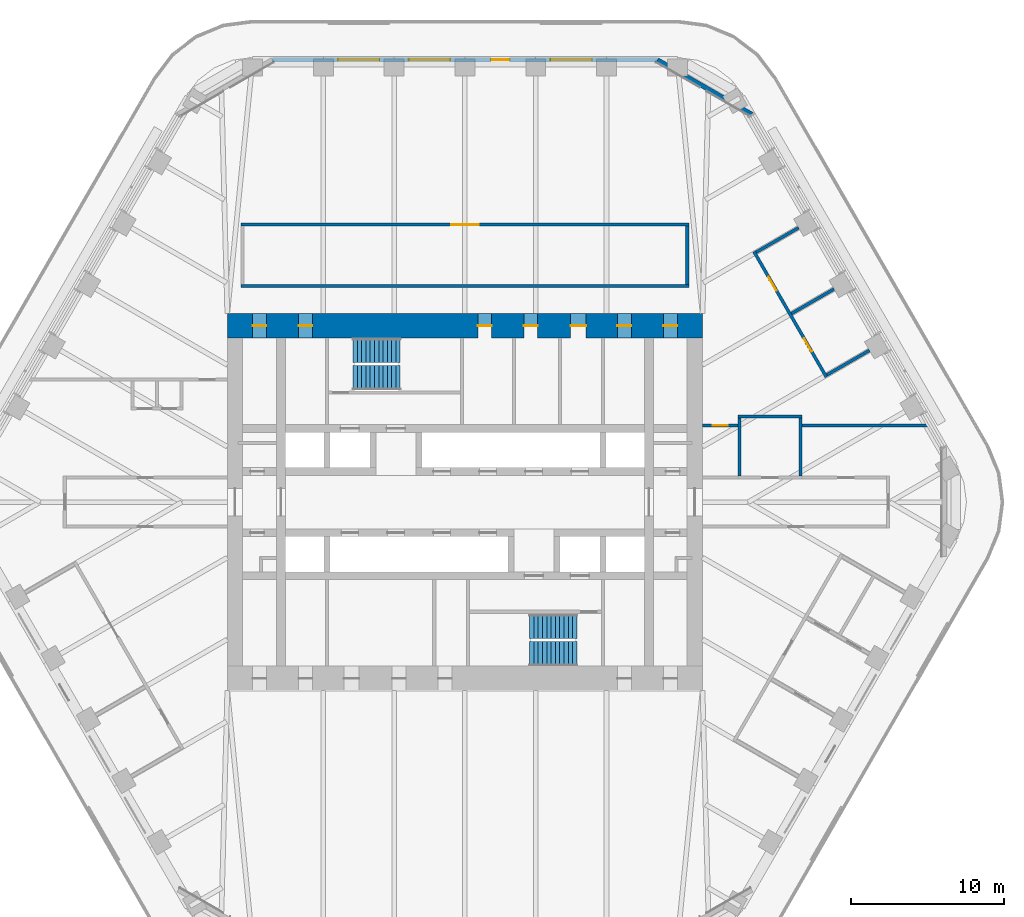
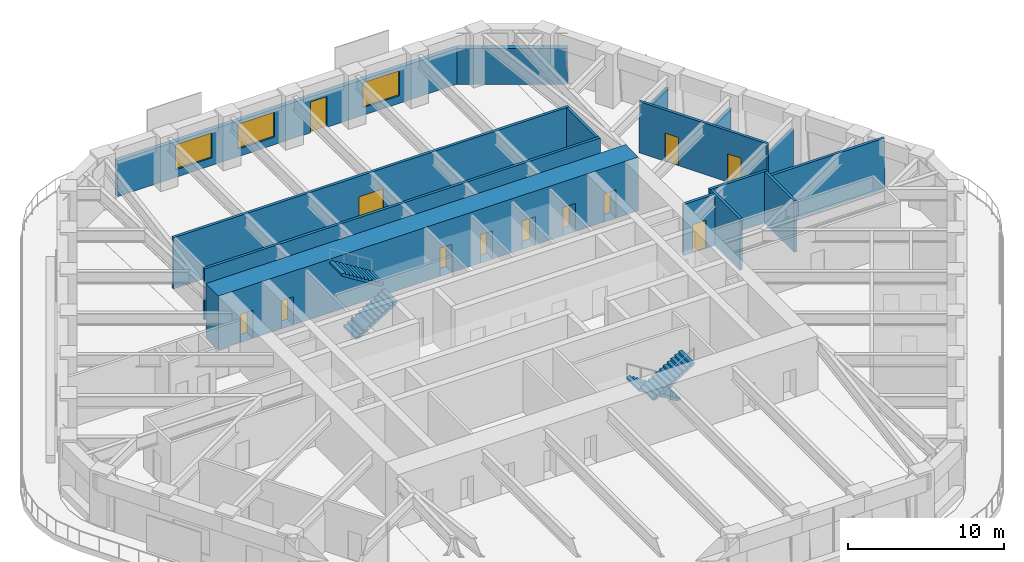
# One storey, part 17 of 20: 15 walls, 12 doors, 4 stair flights, 3 windows, 15 openings, 2 elements without a shape of their own.
"""IFC4 building model written with IfcOpenShell, lengths in metres."""

import ifcopenshell
import ifcopenshell.guid

model = None  # the IFC model being written
_history = None  # IfcOwnerHistory: only IFC2X3 demands one
_inside = {}  # id of a spatial element -> (the spatial element, [elements in it])
_under = {}  # id of a project, library or spatial element -> (it, [spatial elements below it])
_declared = {}  # id of a project -> (the project, [libraries it declares])
_typed = {}  # id of a type object -> (the type object, [elements of that type])
_made_of = {}  # id of a material, layer set ... -> (it, [elements and type objects made of it])


def new_model(schema):
    """Start an empty IFC model of exactly this schema.

    Asked for "IFC4X3", IfcOpenShell would pick the latest addendum, in which some entities
    have other attributes; the version numbers below select the first issue.
    IFC2X3 requires an IfcOwnerHistory on every rooted entity: one is made here for all.
    """
    global model, _history
    if schema == "IFC4X3":
        model = ifcopenshell.file(schema_version=(4, 3, 0, 0))
    else:
        model = ifcopenshell.file(schema=schema)
    _inside.clear()
    _under.clear()
    _declared.clear()
    _typed.clear()
    _made_of.clear()
    _history = None
    if model.schema == "IFC2X3":
        org = make("IfcOrganization", Name="unknown")
        user = make(
            "IfcPersonAndOrganization",
            ThePerson=make("IfcPerson", FamilyName="unknown"),
            TheOrganization=org,
        )
        app = make(
            "IfcApplication",
            ApplicationDeveloper=org,
            Version="unknown",
            ApplicationFullName="unknown",
            ApplicationIdentifier="unknown",
        )
        _history = make(
            "IfcOwnerHistory",
            OwningUser=user,
            OwningApplication=app,
            ChangeAction="ADDED",
            CreationDate=0,
        )
    return model


def make(cls, **values):
    """One entity of the class cls with the attributes given. An attribute that is None is left unset."""
    return model.create_entity(
        cls, **{name: value for name, value in values.items() if value is not None}
    )


def rooted(cls, **values):
    """An entity with a GlobalId (a new one), such as an element, a storey or a relation."""
    return make(cls, GlobalId=ifcopenshell.guid.new(), OwnerHistory=_history, **values)


def si_unit(unit_type, name, prefix=None):
    """IfcSIUnit, for example si_unit("LENGTHUNIT", "METRE", prefix="MILLI")."""
    return make("IfcSIUnit", UnitType=unit_type, Prefix=prefix, Name=name)


def assignment(units):
    """IfcUnitAssignment: the units of a project."""
    return None if units is None else make("IfcUnitAssignment", Units=units)


def point(xyz):
    """IfcCartesianPoint."""
    return None if xyz is None else make("IfcCartesianPoint", Coordinates=xyz)


def direction(xyz):
    """IfcDirection."""
    return None if xyz is None else make("IfcDirection", DirectionRatios=xyz)


def frame(location, z_axis=None, x_axis=None):
    """IfcAxis2Placement3D, a coordinate frame: its origin and axes. An axis left out is left unset."""
    return make(
        "IfcAxis2Placement3D",
        Location=point(location),
        Axis=direction(z_axis),
        RefDirection=direction(x_axis),
    )


def frame_2d(location, x_axis=None):
    """IfcAxis2Placement2D, a coordinate frame in the plane: its origin and x axis."""
    return make(
        "IfcAxis2Placement2D", Location=point(location), RefDirection=direction(x_axis)
    )


def origin():
    """The frame at (0, 0, 0) with its axes left unset."""
    return frame((0.0, 0.0, 0.0))


def place(relative_to, where):
    """IfcLocalPlacement: puts the frame where relative to a parent placement (None: the world)."""
    return make(
        "IfcLocalPlacement", PlacementRelTo=relative_to, RelativePlacement=where
    )


def context(
    kind, dimensions, precision=None, world=None, true_north=None, identifier=None
):
    """IfcGeometricRepresentationContext, for example the 3D "Model" context."""
    return make(
        "IfcGeometricRepresentationContext",
        ContextIdentifier=identifier,
        ContextType=kind,
        CoordinateSpaceDimension=dimensions,
        Precision=precision,
        WorldCoordinateSystem=world,
        TrueNorth=true_north,
    )


def subcontext(parent, identifier, kind, view, scale=None):
    """IfcGeometricRepresentationSubContext, for example "Body" below "Model"."""
    return make(
        "IfcGeometricRepresentationSubContext",
        ContextIdentifier=identifier,
        ContextType=kind,
        ParentContext=parent,
        TargetScale=scale,
        TargetView=view,
    )


def project(units=None, contexts=None):
    """IfcProject with its units and contexts."""
    return rooted(
        "IfcProject",
        Name="project",
        RepresentationContexts=contexts,
        UnitsInContext=assignment(units),
    )


def spatial(cls, under=None, at=None, **own):
    """A site, building, storey or space (cls), placed at a placement, below another one or the project."""
    s = rooted(cls, ObjectPlacement=at, **own)
    if under is not None:
        _under.setdefault(under.id(), (under, []))[1].append(s)
    return s


def polyline(points):
    """IfcPolyline through the points."""
    return make("IfcPolyline", Points=[point(p) for p in points])


def profile(cls, at=None, kind="AREA", **sizes):
    """A parametric profile (cls). Its sizes go by their IFC names, for example OverallWidth=200.0."""
    return make(cls, ProfileType=kind, Position=at, **sizes)


def rectangle(**sizes):
    """IfcRectangleProfileDef."""
    return profile("IfcRectangleProfileDef", **sizes)


def outline(outer, holes=None, kind="AREA"):
    """IfcArbitraryClosedProfileDef: a profile drawn as a closed curve; with holes, ...WithVoids."""
    if holes is None:
        return make("IfcArbitraryClosedProfileDef", ProfileType=kind, OuterCurve=outer)
    return make(
        "IfcArbitraryProfileDefWithVoids",
        ProfileType=kind,
        OuterCurve=outer,
        InnerCurves=holes,
    )


def extrude(swept, where, along, depth):
    """IfcExtrudedAreaSolid: the profile swept, set in the frame where, extruded along a direction by depth."""
    return make(
        "IfcExtrudedAreaSolid",
        SweptArea=swept,
        Position=where,
        ExtrudedDirection=direction(along),
        Depth=depth,
    )


def shape(context_of_items, identifier, shape_type, items):
    """IfcShapeRepresentation: the items that make up one representation, for example the "Body"."""
    return make(
        "IfcShapeRepresentation",
        ContextOfItems=context_of_items,
        RepresentationIdentifier=identifier,
        RepresentationType=shape_type,
        Items=items,
    )


def material(Name=None, Category=None):
    """IfcMaterial."""
    return make("IfcMaterial", Name=Name, Category=Category)


def layer(
    of_material, thickness, ventilated=None, Name=None, Category=None, Priority=None
):
    """IfcMaterialLayer: one layer of a wall or slab, of a material (None: an air gap)."""
    return make(
        "IfcMaterialLayer",
        Material=of_material,
        LayerThickness=thickness,
        IsVentilated=ventilated,
        Name=Name,
        Category=Category,
        Priority=Priority,
    )


def layer_set(layers, Name=None):
    """IfcMaterialLayerSet."""
    return make("IfcMaterialLayerSet", MaterialLayers=layers, LayerSetName=Name)


def made_of(thing, what):
    """Note that an element or type object is made of a material, layer set ...; save() writes the relation."""
    if what is not None:
        _made_of.setdefault(what.id(), (what, []))[1].append(thing)
    return thing


def type_object(cls, material=None, **own):
    """A type object (cls), such as IfcWallType, which elements share."""
    return made_of(rooted(cls, **own), material)


def element(
    cls,
    number,
    at=None,
    inside=None,
    cuts=None,
    type_object=None,
    material=None,
    context=None,
    identifier="Body",
    shape_type=None,
    held_by="IfcProductDefinitionShape",
    body=None,
    shapes=None,
    **own,
):
    """One element of the class cls, such as IfcWall. Its Tag is "e" and its number.

    at: its placement. inside: the storey or other place that contains it. cuts: it is an
    opening in that element (IfcRelVoidsElement). A single representation is given by context,
    identifier, shape_type and body (its items); several are given by shapes. held_by: the class
    of the entity that holds the representations. save() writes the other relations.
    """
    e = rooted(cls, Tag="e%d" % number, ObjectPlacement=at, **own)
    if body is not None:
        shapes = [shape(context, identifier, shape_type, body)]
    if shapes is not None:
        e.Representation = make(held_by, Representations=shapes)
    if inside is not None:
        _inside.setdefault(inside.id(), (inside, []))[1].append(e)
    if cuts is not None:
        rooted(
            "IfcRelVoidsElement", RelatingBuildingElement=cuts, RelatedOpeningElement=e
        )
    if type_object is not None:
        _typed.setdefault(type_object.id(), (type_object, []))[1].append(e)
    return made_of(e, material)


def fill(opening, filler):
    """IfcRelFillsElement: the door or window that sits in an opening."""
    return rooted(
        "IfcRelFillsElement",
        RelatingOpeningElement=opening,
        RelatedBuildingElement=filler,
    )


def aggregate(whole, parts):
    """IfcRelAggregates: a whole, such as a stair, and the parts it consists of."""
    return rooted("IfcRelAggregates", RelatingObject=whole, RelatedObjects=parts)


def save(model, path):
    """Write the relations noted so far, then the file.

    IfcRelAggregates (storeys below a building ...), IfcRelContainedInSpatialStructure (elements
    in a storey), IfcRelDefinesByType, IfcRelAssociatesMaterial and IfcRelDeclares: one each for
    every whole, place, type object, material and project.
    """
    for whole, parts in _under.values():
        aggregate(whole, parts)
    for where, things in _inside.values():
        rooted(
            "IfcRelContainedInSpatialStructure",
            RelatedElements=things,
            RelatingStructure=where,
        )
    for kind, things in _typed.values():
        rooted("IfcRelDefinesByType", RelatedObjects=things, RelatingType=kind)
    for what, things in _made_of.values():
        rooted("IfcRelAssociatesMaterial", RelatedObjects=things, RelatingMaterial=what)
    for by, libraries in _declared.values():
        rooted("IfcRelDeclares", RelatingContext=by, RelatedDefinitions=libraries)
    model.write(path)


model = new_model("IFC4")

# Units and contexts
model_context = context("Model", 3, precision=1e-05, world=origin(), true_north=direction((0.0, 1.0)))
body_context = subcontext(model_context, "Body", "Model", "MODEL_VIEW")
ifc_project = project(units=[si_unit("LENGTHUNIT", "METRE"), si_unit("AREAUNIT", "SQUARE_METRE"), si_unit("VOLUMEUNIT", "CUBIC_METRE"), si_unit("PLANEANGLEUNIT", "RADIAN"), si_unit("MASSUNIT", "GRAM", prefix="KILO")], contexts=[model_context])

# Site, building, storey
site_placement = place(None, origin())
site = spatial("IfcSite", under=ifc_project, at=site_placement, CompositionType="ELEMENT")
building_placement = place(site_placement, origin())
building = spatial("IfcBuilding", under=site, at=building_placement, Name="Tarfa Lantern Tower", CompositionType="ELEMENT")
storey_placement = place(building_placement, frame((0.0, 0.0, 244.89990234375)))
storey = spatial("IfcBuildingStorey", under=building, at=storey_placement, Name="L55", CompositionType="ELEMENT", Elevation=244.89990234375)

# Wall
ifc_material_1 = material(Name="Limestone cladding on blockwork", Category="masonry")
ifc_layer_1 = layer(ifc_material_1, 0.300048828125)
ifc_layer_set_1 = layer_set([ifc_layer_1], Name="EW1 STONE-CLAD WALL 300")
wall_type_1 = type_object("IfcWallType", Name="EW1 STONE-CLAD WALL 300", PredefinedType="SOLIDWALL", material=ifc_layer_set_1)
wall_1_placement = place(storey_placement, frame((18.70654296875, 25.299072265625, 0.0), z_axis=(0.0, 0.0, 1.0), x_axis=(-0.866010973379, 0.500024993363, 0.0)))
element("IfcWall", 1, at=wall_1_placement, inside=storey, type_object=wall_type_1, Name="Garden wall NE-N", PredefinedType="SOLIDWALL", context=body_context, shape_type="SweptSolid", body=[
    extrude(rectangle(XDim=7.101806640625, YDim=0.300048828125, at=frame_2d((3.55078125, 0.0))), origin(), (0.0, 0.0, 1.0), 2.800048828125),
])

# Wall, openings, door, windows
wall_2_placement = place(storey_placement, frame((12.556396484375, 28.85009765625, 0.0), z_axis=(0.0, 0.0, 1.0), x_axis=(-1.0, 0.0, 0.0)))
wall_2 = element("IfcWall", 2, at=wall_2_placement, inside=storey, type_object=wall_type_1, Name="Stone wall N", PredefinedType="SOLIDWALL", context=body_context, shape_type="SweptSolid", body=[
    extrude(rectangle(XDim=25.11279296875, YDim=0.300048828125, at=frame_2d((12.556396484375, 0.0))), origin(), (0.0, 0.0, 1.0), 2.800048828125),
])
opening_1_placement = place(wall_2_placement, frame((4.2783203125, 0.0, 0.60009765625)))
opening_1 = element("IfcOpeningElement", 3, at=opening_1_placement, cuts=wall_2, Name="Opening W14", PredefinedType="OPENING", context=body_context, shape_type="SweptSolid", body=[
    extrude(rectangle(XDim=2.699951171875, YDim=1.949951171875, at=frame_2d((1.35009765625, 0.97509765625))), frame((0.0, 0.159912109375, 0.0), z_axis=(0.0, -1.0, 0.0), x_axis=(1.0, 0.0, 0.0)), (0.0, 0.0, 1.0), 0.320068359375),
])
opening_2_placement = place(wall_2_placement, frame((9.64697265625, 0.0, 0.0)))
opening_2 = element("IfcOpeningElement", 4, at=opening_2_placement, cuts=wall_2, Name="Opening D47", PredefinedType="OPENING", context=body_context, shape_type="SweptSolid", body=[
    extrude(rectangle(XDim=1.199951171875, YDim=2.39990234375, at=frame_2d((0.60009765625, 1.199951171875))), frame((0.0, 0.159912109375, 0.0), z_axis=(0.0, -1.0, 0.0), x_axis=(1.0, 0.0, 0.0)), (0.0, 0.0, 1.0), 0.320068359375),
])
opening_3_placement = place(wall_2_placement, frame((13.515869140625, 0.0, 0.60009765625)))
opening_3 = element("IfcOpeningElement", 5, at=opening_3_placement, cuts=wall_2, Name="Opening W14", PredefinedType="OPENING", context=body_context, shape_type="SweptSolid", body=[
    extrude(rectangle(XDim=2.699951171875, YDim=1.949951171875, at=frame_2d((1.35009765625, 0.97509765625))), frame((0.0, 0.159912109375, 0.0), z_axis=(0.0, -1.0, 0.0), x_axis=(1.0, 0.0, 0.0)), (0.0, 0.0, 1.0), 0.320068359375),
])
opening_4_placement = place(wall_2_placement, frame((18.134521484375, 0.0, 0.60009765625)))
opening_4 = element("IfcOpeningElement", 6, at=opening_4_placement, cuts=wall_2, Name="Opening W14", PredefinedType="OPENING", context=body_context, shape_type="SweptSolid", body=[
    extrude(rectangle(XDim=2.699951171875, YDim=1.949951171875, at=frame_2d((1.35009765625, 0.97509765625))), frame((0.0, 0.159912109375, 0.0), z_axis=(0.0, -1.0, 0.0), x_axis=(1.0, 0.0, 0.0)), (0.0, 0.0, 1.0), 0.320068359375),
])
ifc_material_2 = material(Name="Aluminium framed glazed door", Category="aluminium")
door_type_1 = type_object("IfcDoorType", Name="BE3 BALCONY DOOR 1200x2400", OperationType="SINGLE_SWING_RIGHT", PredefinedType="DOOR", material=ifc_material_2)
door_1_placement = place(opening_2_placement, origin())
door_1 = element("IfcDoor", 7, at=door_1_placement, inside=storey, type_object=door_type_1, Name="Balcony door N", OperationType="SINGLE_SWING_RIGHT", OverallHeight=2.39990234375, OverallWidth=1.199951171875, PredefinedType="DOOR", context=body_context, shape_type="SweptSolid", body=[
    extrude(rectangle(XDim=1.199951171875, YDim=2.39990234375, at=frame_2d((0.60009765625, 1.199951171875))), frame((0.0, 0.02490234375, 0.0), z_axis=(0.0, -1.0, 0.0), x_axis=(1.0, 0.0, 0.0)), (0.0, 0.0, 1.0), 0.050048828125),
])
fill(opening_2, door_1)
ifc_material_3 = material(Name="Aluminium frame, double glazed", Category="aluminium")
window_type = type_object("IfcWindowType", Name="W14 FULL-HEIGHT GLAZING 2700x1950", PartitioningType="SINGLE_PANEL", PredefinedType="WINDOW", material=ifc_material_3)
window_1_placement = place(opening_1_placement, origin())
window_1 = element("IfcWindow", 8, at=window_1_placement, inside=storey, type_object=window_type, Name="Window N 2", OverallHeight=1.949951171875, OverallWidth=2.699951171875, PartitioningType="SINGLE_PANEL", PredefinedType="WINDOW", context=body_context, shape_type="SweptSolid", body=[
    extrude(rectangle(XDim=2.699951171875, YDim=1.949951171875, at=frame_2d((1.35009765625, 0.97509765625))), frame((0.0, 0.030029296875, 0.0), z_axis=(0.0, -1.0, 0.0), x_axis=(1.0, 0.0, 0.0)), (0.0, 0.0, 1.0), 0.06005859375),
])
fill(opening_1, window_1)
window_2_placement = place(opening_3_placement, origin())
window_2 = element("IfcWindow", 9, at=window_2_placement, inside=storey, type_object=window_type, Name="Window N 4", OverallHeight=1.949951171875, OverallWidth=2.699951171875, PartitioningType="SINGLE_PANEL", PredefinedType="WINDOW", context=body_context, shape_type="SweptSolid", body=[
    extrude(rectangle(XDim=2.699951171875, YDim=1.949951171875, at=frame_2d((1.35009765625, 0.97509765625))), frame((0.0, 0.030029296875, 0.0), z_axis=(0.0, -1.0, 0.0), x_axis=(1.0, 0.0, 0.0)), (0.0, 0.0, 1.0), 0.06005859375),
])
fill(opening_3, window_2)
window_3_placement = place(opening_4_placement, origin())
window_3 = element("IfcWindow", 10, at=window_3_placement, inside=storey, type_object=window_type, Name="Window N 5", OverallHeight=1.949951171875, OverallWidth=2.699951171875, PartitioningType="SINGLE_PANEL", PredefinedType="WINDOW", context=body_context, shape_type="SweptSolid", body=[
    extrude(rectangle(XDim=2.699951171875, YDim=1.949951171875, at=frame_2d((1.35009765625, 0.97509765625))), frame((0.0, 0.030029296875, 0.0), z_axis=(0.0, -1.0, 0.0), x_axis=(1.0, 0.0, 0.0)), (0.0, 0.0, 1.0), 0.06005859375),
])
fill(opening_4, window_3)

# Wall
ifc_material_4 = material(Name="Gypsum board on steel studs", Category="steel")
ifc_layer_2 = layer(ifc_material_4, 0.2099609375)
ifc_layer_set_2 = layer_set([ifc_layer_2], Name="IW2 ACOUSTIC PARTITION 200")
wall_type_2 = type_object("IfcWallType", Name="IW2 ACOUSTIC PARTITION 200", PredefinedType="PARTITIONING", material=ifc_layer_set_2)
wall_3_placement = place(storey_placement, frame((-14.60009765625, 14.10009765625, 0.0), z_axis=(0.0, 0.0, 1.0), x_axis=(1.0, 0.0, 0.0)))
element("IfcWall", 11, at=wall_3_placement, inside=storey, type_object=wall_type_2, Name="Partition", PredefinedType="PARTITIONING", context=body_context, shape_type="SweptSolid", body=[
    extrude(rectangle(XDim=29.2001953125, YDim=0.199951171875, at=frame_2d((14.60009765625, 0.0))), origin(), (0.0, 0.0, 1.0), 4.0),
])

# Wall, opening, door
wall_4_placement = place(storey_placement, frame((-14.60009765625, 18.10009765625, 0.0), z_axis=(0.0, 0.0, 1.0), x_axis=(1.0, 0.0, 0.0)))
wall_4 = element("IfcWall", 12, at=wall_4_placement, inside=storey, type_object=wall_type_2, Name="Partition", PredefinedType="PARTITIONING", context=body_context, shape_type="SweptSolid", body=[
    extrude(rectangle(XDim=29.2001953125, YDim=0.199951171875, at=frame_2d((14.60009765625, 0.0))), origin(), (0.0, 0.0, 1.0), 4.0),
])
opening_5_placement = place(wall_4_placement, frame((13.699951171875, 0.0, 0.0)))
opening_5 = element("IfcOpeningElement", 13, at=opening_5_placement, cuts=wall_4, Name="Opening D36", PredefinedType="OPENING", context=body_context, shape_type="SweptSolid", body=[
    extrude(rectangle(XDim=1.800048828125, YDim=2.39990234375, at=frame_2d((0.89990234375, 1.199951171875))), frame((0.0, 0.10986328125, 0.0), z_axis=(0.0, -1.0, 0.0), x_axis=(1.0, 0.0, 0.0)), (0.0, 0.0, 1.0), 0.219970703125),
])
ifc_material_5 = material(Name="Timber door", Category="wood")
door_type_2 = type_object("IfcDoorType", Name="DR2 ROOM DOOR 1800x2400", OperationType="DOUBLE_DOOR_SINGLE_SWING", PredefinedType="DOOR", material=ifc_material_5)
door_2_placement = place(opening_5_placement, frame((1.800048828125, 0.0, 0.0), z_axis=(0.0, 0.0, 1.0), x_axis=(-1.0, 0.0, 0.0)))
door_2 = element("IfcDoor", 14, at=door_2_placement, inside=storey, type_object=door_type_2, Name="Board papers room door", OperationType="DOUBLE_DOOR_SINGLE_SWING", OverallHeight=2.39990234375, OverallWidth=1.800048828125, PredefinedType="DOOR", context=body_context, shape_type="SweptSolid", body=[
    extrude(rectangle(XDim=1.800048828125, YDim=2.39990234375, at=frame_2d((0.89990234375, 1.199951171875))), frame((0.0, 0.02490234375, 0.0), z_axis=(0.0, -1.0, 0.0), x_axis=(1.0, 0.0, 0.0)), (0.0, 0.0, 1.0), 0.050048828125),
])
fill(opening_5, door_2)

# Wall
wall_5_placement = place(storey_placement, frame((14.5, 14.199951171875, 0.0), z_axis=(0.0, 0.0, 1.0), x_axis=(0.0, 1.0, 0.0)))
element("IfcWall", 15, at=wall_5_placement, inside=storey, type_object=wall_type_2, Name="Partition", PredefinedType="PARTITIONING", context=body_context, shape_type="SweptSolid", body=[
    extrude(rectangle(XDim=3.800048828125, YDim=0.199951171875, at=frame_2d((1.89990234375, 0.0))), origin(), (0.0, 0.0, 1.0), 4.0),
])

# Wall, openings, doors
wall_6_placement = place(storey_placement, frame((23.576904296875, 8.163330078125, 0.0), z_axis=(0.0, 0.0, 1.0), x_axis=(-0.499989672313, 0.866031366395, 0.0)))
wall_6 = element("IfcWall", 16, at=wall_6_placement, inside=storey, type_object=wall_type_2, Name="Partition", PredefinedType="PARTITIONING", context=body_context, shape_type="SweptSolid", body=[
    extrude(rectangle(XDim=9.437744140625, YDim=0.199951171875, at=frame_2d((4.71875, 0.0))), origin(), (0.0, 0.0, 1.0), 4.0),
])
opening_6_placement = place(wall_6_placement, frame((1.909423828125, 0.0, 0.0)))
opening_6 = element("IfcOpeningElement", 17, at=opening_6_placement, cuts=wall_6, Name="Opening D28", PredefinedType="OPENING", context=body_context, shape_type="SweptSolid", body=[
    extrude(rectangle(XDim=1.0, YDim=2.199951171875, at=frame_2d((0.5, 1.10009765625))), frame((0.0, 0.10986328125, 0.0), z_axis=(0.0, -1.0, 0.0), x_axis=(1.0, 0.0, 0.0)), (0.0, 0.0, 1.0), 0.219970703125),
])
opening_7_placement = place(wall_6_placement, frame((6.5283203125, 0.0, 0.0)))
opening_7 = element("IfcOpeningElement", 18, at=opening_7_placement, cuts=wall_6, Name="Opening D29", PredefinedType="OPENING", context=body_context, shape_type="SweptSolid", body=[
    extrude(rectangle(XDim=1.0, YDim=2.199951171875, at=frame_2d((0.5, 1.10009765625))), frame((0.0, 0.10986328125, 0.0), z_axis=(0.0, -1.0, 0.0), x_axis=(1.0, 0.0, 0.0)), (0.0, 0.0, 1.0), 0.219970703125),
])
door_type_3 = type_object("IfcDoorType", Name="DR1 ROOM DOOR 1000x2200", OperationType="SINGLE_SWING_LEFT", PredefinedType="DOOR", material=ifc_material_5)
door_3_placement = place(opening_6_placement, frame((1.0, 0.0, 0.0), z_axis=(0.0, 0.0, 1.0), x_axis=(-1.0, 0.0, 0.0)))
door_3 = element("IfcDoor", 19, at=door_3_placement, inside=storey, type_object=door_type_3, Name="Office door", OperationType="SINGLE_SWING_LEFT", OverallHeight=2.199951171875, OverallWidth=1.0, PredefinedType="DOOR", context=body_context, shape_type="SweptSolid", body=[
    extrude(rectangle(XDim=1.0, YDim=2.199951171875, at=frame_2d((0.5, 1.10009765625))), frame((0.0, 0.02490234375, 0.0), z_axis=(0.0, -1.0, 0.0), x_axis=(1.0, 0.0, 0.0)), (0.0, 0.0, 1.0), 0.050048828125),
])
fill(opening_6, door_3)
door_4_placement = place(opening_7_placement, frame((1.0, 0.0, 0.0), z_axis=(0.0, 0.0, 1.0), x_axis=(-1.0, 0.0, 0.0)))
door_4 = element("IfcDoor", 20, at=door_4_placement, inside=storey, type_object=door_type_3, Name="Office door", OperationType="SINGLE_SWING_RIGHT", OverallHeight=2.199951171875, OverallWidth=1.0, PredefinedType="DOOR", context=body_context, shape_type="SweptSolid", body=[
    extrude(rectangle(XDim=1.0, YDim=2.199951171875, at=frame_2d((0.5, 1.10009765625))), frame((0.0, 0.02490234375, 0.0), z_axis=(0.0, -1.0, 0.0), x_axis=(1.0, 0.0, 0.0)), (0.0, 0.0, 1.0), 0.050048828125),
])
fill(opening_7, door_4)

# Walls
wall_7_placement = place(storey_placement, frame((23.613525390625, 8.300048828125, 0.0), z_axis=(0.0, 0.0, 1.0), x_axis=(0.866061088033, 0.499938187974, 0.0)))
element("IfcWall", 21, at=wall_7_placement, inside=storey, type_object=wall_type_2, Name="Partition", PredefinedType="PARTITIONING", context=body_context, shape_type="SweptSolid", body=[
    extrude(rectangle(XDim=3.2001953125, YDim=0.199951171875, at=frame_2d((1.60009765625, 0.0))), origin(), (0.0, 0.0, 1.0), 3.081787109375),
])
for number, where, z_axis, x_axis, name in (
    (22, (21.30419921875, 12.300048828125, 0.0), (0.0, 0.0, 1.0), (0.866042017984, 0.499971222258, 0.0), "Partition"),
    (23, (18.994873046875, 16.300048828125, 0.0), (0.0, 0.0, 1.0), (0.866042017984, 0.499971222258, 0.0), "Partition"),
):
    element("IfcWall", number, at=place(storey_placement, frame(where, z_axis=z_axis, x_axis=x_axis)), inside=storey, type_object=wall_type_2, Name=name, PredefinedType="PARTITIONING", context=body_context, shape_type="SweptSolid", body=[
        extrude(rectangle(XDim=3.199951171875, YDim=0.199951171875, at=frame_2d((1.60009765625, 0.0))), origin(), (0.0, 0.0, 1.0), 3.081787109375),
    ])
wall_8_placement = place(storey_placement, frame((17.800048828125, 5.60009765625, 0.0), z_axis=(0.0, 0.0, 1.0), x_axis=(1.0, 0.0, 0.0)))
element("IfcWall", 24, at=wall_8_placement, inside=storey, type_object=wall_type_2, Name="Partition", PredefinedType="PARTITIONING", context=body_context, shape_type="SweptSolid", body=[
    extrude(rectangle(XDim=4.199951171875, YDim=0.199951171875, at=frame_2d((2.10009765625, 0.0))), origin(), (0.0, 0.0, 1.0), 4.0),
])
for number, where, z_axis, x_axis, name in (
    (25, (17.89990234375, 1.699951171875, 0.0), (0.0, 0.0, 1.0), (0.0, 1.0, 0.0), "Partition"),
    (26, (21.89990234375, 1.699951171875, 0.0), (0.0, 0.0, 1.0), (0.0, 1.0, 0.0), "Partition"),
):
    element("IfcWall", number, at=place(storey_placement, frame(where, z_axis=z_axis, x_axis=x_axis)), inside=storey, type_object=wall_type_2, Name=name, PredefinedType="PARTITIONING", context=body_context, shape_type="SweptSolid", body=[
        extrude(rectangle(XDim=3.800048828125, YDim=0.199951171875, at=frame_2d((1.89990234375, 0.0))), origin(), (0.0, 0.0, 1.0), 4.0),
    ])

# Wall, opening, door
wall_9_placement = place(storey_placement, frame((15.5, 5.0, 0.0), z_axis=(0.0, 0.0, 1.0), x_axis=(1.0, 0.0, 0.0)))
wall_9 = element("IfcWall", 27, at=wall_9_placement, inside=storey, type_object=wall_type_2, Name="Partition", PredefinedType="PARTITIONING", context=body_context, shape_type="SweptSolid", body=[
    extrude(rectangle(XDim=2.300048828125, YDim=0.199951171875, at=frame_2d((1.14990234375, 0.0))), origin(), (0.0, 0.0, 1.0), 4.0),
])
opening_8_placement = place(wall_9_placement, frame((0.64990234375, 0.0, 0.0)))
opening_8 = element("IfcOpeningElement", 28, at=opening_8_placement, cuts=wall_9, Name="Opening D45", PredefinedType="OPENING", context=body_context, shape_type="SweptSolid", body=[
    extrude(rectangle(XDim=1.0, YDim=2.199951171875, at=frame_2d((0.5, 1.10009765625))), frame((0.0, 0.10986328125, 0.0), z_axis=(0.0, -1.0, 0.0), x_axis=(1.0, 0.0, 0.0)), (0.0, 0.0, 1.0), 0.219970703125),
])
door_5_placement = place(opening_8_placement, frame((1.0, 0.0, 0.0), z_axis=(0.0, 0.0, 1.0), x_axis=(-1.0, 0.0, 0.0)))
door_5 = element("IfcDoor", 29, at=door_5_placement, inside=storey, type_object=door_type_3, Name="Zone door", OperationType="SINGLE_SWING_RIGHT", OverallHeight=2.199951171875, OverallWidth=1.0, PredefinedType="DOOR", context=body_context, shape_type="SweptSolid", body=[
    extrude(rectangle(XDim=1.0, YDim=2.199951171875, at=frame_2d((0.5, 1.10009765625))), frame((0.0, 0.02490234375, 0.0), z_axis=(0.0, -1.0, 0.0), x_axis=(1.0, 0.0, 0.0)), (0.0, 0.0, 1.0), 0.050048828125),
])
fill(opening_8, door_5)

# Wall
wall_10_placement = place(storey_placement, frame((22.0, 5.0, 0.0), z_axis=(0.0, 0.0, 1.0), x_axis=(1.0, 0.0, 0.0)))
element("IfcWall", 30, at=wall_10_placement, inside=storey, type_object=wall_type_2, Name="Partition", PredefinedType="PARTITIONING", context=body_context, shape_type="SweptSolid", body=[
    extrude(rectangle(XDim=8.345458984375, YDim=0.199951171875, at=frame_2d((4.1728515625, 0.0))), origin(), (0.0, 0.0, 1.0), 4.0),
])

# Wall, openings, doors
ifc_material_6 = material(Name="Concrete C80/95", Category="concrete")
ifc_layer_3 = layer(ifc_material_6, 1.60009765625)
ifc_layer_set_3 = layer_set([ifc_layer_3], Name="SW7 CORE WALL 1600")
wall_type_3 = type_object("IfcWallType", Name="SW7 CORE WALL 1600", PredefinedType="SHEAR", material=ifc_layer_set_3)
wall_11_placement = place(storey_placement, frame((-15.5, 11.5, 0.0), z_axis=(0.0, 0.0, 1.0), x_axis=(1.0, 0.0, 0.0)))
wall_11 = element("IfcWall", 31, at=wall_11_placement, inside=storey, type_object=wall_type_3, Name="Core wall N", PredefinedType="SHEAR", context=body_context, shape_type="SweptSolid", body=[
    extrude(rectangle(XDim=31.0, YDim=1.60009765625, at=frame_2d((15.5, 0.0))), origin(), (0.0, 0.0, 1.0), 4.2001953125),
])
opening_9_placement = place(wall_11_placement, frame((16.35009765625, 0.0, 0.0)))
opening_9 = element("IfcOpeningElement", 32, at=opening_9_placement, cuts=wall_11, Name="Opening D17", PredefinedType="OPENING", context=body_context, shape_type="SweptSolid", body=[
    extrude(rectangle(XDim=0.89990234375, YDim=2.199951171875, at=frame_2d((0.449951171875, 1.10009765625))), frame((0.0, 0.81005859375, 0.0), z_axis=(0.0, -1.0, 0.0), x_axis=(1.0, 0.0, 0.0)), (0.0, 0.0, 1.0), 1.6201171875),
])
opening_10_placement = place(wall_11_placement, frame((19.35009765625, 0.0, 0.0)))
opening_10 = element("IfcOpeningElement", 33, at=opening_10_placement, cuts=wall_11, Name="Opening D19", PredefinedType="OPENING", context=body_context, shape_type="SweptSolid", body=[
    extrude(rectangle(XDim=0.89990234375, YDim=2.199951171875, at=frame_2d((0.449951171875, 1.10009765625))), frame((0.0, 0.81005859375, 0.0), z_axis=(0.0, -1.0, 0.0), x_axis=(1.0, 0.0, 0.0)), (0.0, 0.0, 1.0), 1.6201171875),
])
opening_11_placement = place(wall_11_placement, frame((22.39990234375, 0.0, 0.0)))
opening_11 = element("IfcOpeningElement", 34, at=opening_11_placement, cuts=wall_11, Name="Opening D21", PredefinedType="OPENING", context=body_context, shape_type="SweptSolid", body=[
    extrude(rectangle(XDim=1.0, YDim=2.199951171875, at=frame_2d((0.5, 1.10009765625))), frame((0.0, 0.81005859375, 0.0), z_axis=(0.0, -1.0, 0.0), x_axis=(1.0, 0.0, 0.0)), (0.0, 0.0, 1.0), 1.6201171875),
])
opening_12_placement = place(wall_11_placement, frame((1.64990234375, 0.0, 0.0)))
opening_12 = element("IfcOpeningElement", 35, at=opening_12_placement, cuts=wall_11, Name="Opening D07", PredefinedType="OPENING", context=body_context, shape_type="SweptSolid", body=[
    extrude(rectangle(XDim=0.89990234375, YDim=2.199951171875, at=frame_2d((0.449951171875, 1.10009765625))), frame((0.0, 0.81005859375, 0.0), z_axis=(0.0, -1.0, 0.0), x_axis=(1.0, 0.0, 0.0)), (0.0, 0.0, 1.0), 1.6201171875),
])
opening_13_placement = place(wall_11_placement, frame((4.64990234375, 0.0, 0.0)))
opening_13 = element("IfcOpeningElement", 36, at=opening_13_placement, cuts=wall_11, Name="Opening D05", PredefinedType="OPENING", context=body_context, shape_type="SweptSolid", body=[
    extrude(rectangle(XDim=0.89990234375, YDim=2.199951171875, at=frame_2d((0.449951171875, 1.10009765625))), frame((0.0, 0.81005859375, 0.0), z_axis=(0.0, -1.0, 0.0), x_axis=(1.0, 0.0, 0.0)), (0.0, 0.0, 1.0), 1.6201171875),
])
opening_14_placement = place(wall_11_placement, frame((25.449951171875, 0.0, 0.0)))
opening_14 = element("IfcOpeningElement", 37, at=opening_14_placement, cuts=wall_11, Name="Opening D03", PredefinedType="OPENING", context=body_context, shape_type="SweptSolid", body=[
    extrude(rectangle(XDim=0.89990234375, YDim=2.199951171875, at=frame_2d((0.449951171875, 1.10009765625))), frame((0.0, 0.81005859375, 0.0), z_axis=(0.0, -1.0, 0.0), x_axis=(1.0, 0.0, 0.0)), (0.0, 0.0, 1.0), 1.6201171875),
])
opening_15_placement = place(wall_11_placement, frame((28.449951171875, 0.0, 0.0)))
opening_15 = element("IfcOpeningElement", 38, at=opening_15_placement, cuts=wall_11, Name="Opening D01", PredefinedType="OPENING", context=body_context, shape_type="SweptSolid", body=[
    extrude(rectangle(XDim=0.89990234375, YDim=2.199951171875, at=frame_2d((0.449951171875, 1.10009765625))), frame((0.0, 0.81005859375, 0.0), z_axis=(0.0, -1.0, 0.0), x_axis=(1.0, 0.0, 0.0)), (0.0, 0.0, 1.0), 1.6201171875),
])
ifc_material_7 = material(Name="Steel fire door", Category="steel")
door_type_4 = type_object("IfcDoorType", Name="DF3 CORE ROOM DOOR 900x2200", OperationType="SINGLE_SWING_LEFT", PredefinedType="DOOR", material=ifc_material_7)
door_6_placement = place(opening_9_placement, frame((0.89990234375, 0.0, 0.0), z_axis=(0.0, 0.0, 1.0), x_axis=(-1.0, 0.0, 0.0)))
door_6 = element("IfcDoor", 39, at=door_6_placement, inside=storey, type_object=door_type_4, Name="Core door", OperationType="SINGLE_SWING_LEFT", OverallHeight=2.199951171875, OverallWidth=0.89990234375, PredefinedType="DOOR", context=body_context, shape_type="SweptSolid", body=[
    extrude(rectangle(XDim=0.89990234375, YDim=2.199951171875, at=frame_2d((0.449951171875, 1.10009765625))), frame((0.0, 0.02490234375, 0.0), z_axis=(0.0, -1.0, 0.0), x_axis=(1.0, 0.0, 0.0)), (0.0, 0.0, 1.0), 0.050048828125),
])
fill(opening_9, door_6)
door_7_placement = place(opening_10_placement, frame((0.89990234375, 0.0, 0.0), z_axis=(0.0, 0.0, 1.0), x_axis=(-1.0, 0.0, 0.0)))
door_7 = element("IfcDoor", 40, at=door_7_placement, inside=storey, type_object=door_type_4, Name="Core door", OperationType="SINGLE_SWING_LEFT", OverallHeight=2.199951171875, OverallWidth=0.89990234375, PredefinedType="DOOR", context=body_context, shape_type="SweptSolid", body=[
    extrude(rectangle(XDim=0.89990234375, YDim=2.199951171875, at=frame_2d((0.449951171875, 1.10009765625))), frame((0.0, 0.02490234375, 0.0), z_axis=(0.0, -1.0, 0.0), x_axis=(1.0, 0.0, 0.0)), (0.0, 0.0, 1.0), 0.050048828125),
])
fill(opening_10, door_7)
door_type_5 = type_object("IfcDoorType", Name="DF4 CORE ROOM DOOR 1000x2200", OperationType="SINGLE_SWING_LEFT", PredefinedType="DOOR", material=ifc_material_7)
door_8_placement = place(opening_11_placement, frame((1.0, 0.0, 0.0), z_axis=(0.0, 0.0, 1.0), x_axis=(-1.0, 0.0, 0.0)))
door_8 = element("IfcDoor", 41, at=door_8_placement, inside=storey, type_object=door_type_5, Name="Core door", OperationType="SINGLE_SWING_LEFT", OverallHeight=2.199951171875, OverallWidth=1.0, PredefinedType="DOOR", context=body_context, shape_type="SweptSolid", body=[
    extrude(rectangle(XDim=1.0, YDim=2.199951171875, at=frame_2d((0.5, 1.10009765625))), frame((0.0, 0.02490234375, 0.0), z_axis=(0.0, -1.0, 0.0), x_axis=(1.0, 0.0, 0.0)), (0.0, 0.0, 1.0), 0.050048828125),
])
fill(opening_11, door_8)
door_type_6 = type_object("IfcDoorType", Name="DF5 RISER DOOR 900x2200", OperationType="SINGLE_SWING_LEFT", PredefinedType="DOOR", material=ifc_material_7)
door_9_placement = place(opening_12_placement, frame((0.89990234375, 0.0, 0.0), z_axis=(0.0, 0.0, 1.0), x_axis=(-1.0, 0.0, 0.0)))
door_9 = element("IfcDoor", 42, at=door_9_placement, inside=storey, type_object=door_type_6, Name="Riser door", OperationType="SINGLE_SWING_LEFT", OverallHeight=2.199951171875, OverallWidth=0.89990234375, PredefinedType="DOOR", context=body_context, shape_type="SweptSolid", body=[
    extrude(rectangle(XDim=0.89990234375, YDim=2.199951171875, at=frame_2d((0.449951171875, 1.10009765625))), frame((0.0, 0.02490234375, 0.0), z_axis=(0.0, -1.0, 0.0), x_axis=(1.0, 0.0, 0.0)), (0.0, 0.0, 1.0), 0.050048828125),
])
fill(opening_12, door_9)
door_10_placement = place(opening_13_placement, frame((0.89990234375, 0.0, 0.0), z_axis=(0.0, 0.0, 1.0), x_axis=(-1.0, 0.0, 0.0)))
door_10 = element("IfcDoor", 43, at=door_10_placement, inside=storey, type_object=door_type_6, Name="Riser door", OperationType="SINGLE_SWING_LEFT", OverallHeight=2.199951171875, OverallWidth=0.89990234375, PredefinedType="DOOR", context=body_context, shape_type="SweptSolid", body=[
    extrude(rectangle(XDim=0.89990234375, YDim=2.199951171875, at=frame_2d((0.449951171875, 1.10009765625))), frame((0.0, 0.02490234375, 0.0), z_axis=(0.0, -1.0, 0.0), x_axis=(1.0, 0.0, 0.0)), (0.0, 0.0, 1.0), 0.050048828125),
])
fill(opening_13, door_10)
door_11_placement = place(opening_14_placement, frame((0.89990234375, 0.0, 0.0), z_axis=(0.0, 0.0, 1.0), x_axis=(-1.0, 0.0, 0.0)))
door_11 = element("IfcDoor", 44, at=door_11_placement, inside=storey, type_object=door_type_6, Name="Riser door", OperationType="SINGLE_SWING_RIGHT", OverallHeight=2.199951171875, OverallWidth=0.89990234375, PredefinedType="DOOR", context=body_context, shape_type="SweptSolid", body=[
    extrude(rectangle(XDim=0.89990234375, YDim=2.199951171875, at=frame_2d((0.449951171875, 1.10009765625))), frame((0.0, 0.02490234375, 0.0), z_axis=(0.0, -1.0, 0.0), x_axis=(1.0, 0.0, 0.0)), (0.0, 0.0, 1.0), 0.050048828125),
])
fill(opening_14, door_11)
door_12_placement = place(opening_15_placement, frame((0.89990234375, 0.0, 0.0), z_axis=(0.0, 0.0, 1.0), x_axis=(-1.0, 0.0, 0.0)))
door_12 = element("IfcDoor", 45, at=door_12_placement, inside=storey, type_object=door_type_6, Name="Riser door", OperationType="SINGLE_SWING_RIGHT", OverallHeight=2.199951171875, OverallWidth=0.89990234375, PredefinedType="DOOR", context=body_context, shape_type="SweptSolid", body=[
    extrude(rectangle(XDim=0.89990234375, YDim=2.199951171875, at=frame_2d((0.449951171875, 1.10009765625))), frame((0.0, 0.02490234375, 0.0), z_axis=(0.0, -1.0, 0.0), x_axis=(1.0, 0.0, 0.0)), (0.0, 0.0, 1.0), 0.050048828125),
])
fill(opening_15, door_12)

# Stair, stair flights
ifc_material_8 = material(Name="Concrete C40/50", Category="concrete")
stair_type = type_object("IfcStairType", Name="ST-T10 HALF-TURN STAIR 4200 RISE", PredefinedType="HALF_TURN_STAIR", material=ifc_material_8)
stair_1_placement = place(storey_placement, origin())
stair_1 = element("IfcStair", 46, at=stair_1_placement, inside=storey, type_object=stair_type, Name="Stair ST1", PredefinedType="HALF_TURN_STAIR")
stair_flight_type = type_object("IfcStairFlightType", Name="SF1 STAIR FLIGHT", PredefinedType="STRAIGHT", material=ifc_material_8)
stair_flight_1_placement = place(storey_placement, frame((-7.300048828125, 8.10009765625, 0.0), z_axis=(0.0, 0.0, 1.0), x_axis=(1.0, 0.0, 0.0)))
stair_flight_1 = element("IfcStairFlight", 47, at=stair_flight_1_placement, type_object=stair_flight_type, Name="ST1 flight 1", NumberOfRisers=12, NumberOfTreads=11, PredefinedType="STRAIGHT", RiserHeight=0.175, TreadLength=0.28, context=body_context, shape_type="SweptSolid", body=[
    extrude(outline(polyline([(0.0, 0.0), (0.0, 0.175048828125), (0.280029296875, 0.175048828125), (0.280029296875, 0.35009765625), (0.56005859375, 0.35009765625), (0.56005859375, 0.52490234375), (0.840087890625, 0.52490234375), (0.840087890625, 0.699951171875), (1.1201171875, 0.699951171875), (1.1201171875, 0.875), (1.39990234375, 0.875), (1.39990234375, 1.050048828125), (1.679931640625, 1.050048828125), (1.679931640625, 1.22509765625), (1.9599609375, 1.22509765625), (1.9599609375, 1.39990234375), (2.239990234375, 1.39990234375), (2.239990234375, 1.574951171875), (2.52001953125, 1.574951171875), (2.52001953125, 1.75), (2.800048828125, 1.75), (2.800048828125, 1.925048828125), (3.080078125, 1.925048828125), (3.080078125, 2.10009765625), (3.080078125, 1.748291015625), (0.28271484375, 0.0), (0.0, 0.0)])), frame((0.0, 0.800048828125, 0.0), z_axis=(0.0, -1.0, 0.0), x_axis=(1.0, 0.0, 0.0)), (0.0, 0.0, 1.0), 1.60009765625),
])
stair_flight_2_placement = place(storey_placement, frame((-4.219970703125, 9.89990234375, 2.10009765625), z_axis=(0.0, 0.0, 1.0), x_axis=(-1.0, 0.0, 0.0)))
stair_flight_2 = element("IfcStairFlight", 48, at=stair_flight_2_placement, type_object=stair_flight_type, Name="ST1 flight 2", NumberOfRisers=12, NumberOfTreads=11, PredefinedType="STRAIGHT", RiserHeight=0.175, TreadLength=0.28, context=body_context, shape_type="SweptSolid", body=[
    extrude(outline(polyline([(0.0, 0.0), (0.0, 0.175048828125), (0.280029296875, 0.175048828125), (0.280029296875, 0.35009765625), (0.56005859375, 0.35009765625), (0.56005859375, 0.52490234375), (0.840087890625, 0.52490234375), (0.840087890625, 0.699951171875), (1.1201171875, 0.699951171875), (1.1201171875, 0.875), (1.39990234375, 0.875), (1.39990234375, 1.050048828125), (1.679931640625, 1.050048828125), (1.679931640625, 1.22509765625), (1.9599609375, 1.22509765625), (1.9599609375, 1.39990234375), (2.239990234375, 1.39990234375), (2.239990234375, 1.574951171875), (2.52001953125, 1.574951171875), (2.52001953125, 1.75), (2.800048828125, 1.75), (2.800048828125, 1.925048828125), (3.080078125, 1.925048828125), (3.080078125, 2.10009765625), (3.080078125, 1.748291015625), (0.28271484375, 0.0), (0.0, 0.0)])), frame((0.0, 0.800048828125, 0.0), z_axis=(0.0, -1.0, 0.0), x_axis=(1.0, 0.0, 0.0)), (0.0, 0.0, 1.0), 1.60009765625),
])
aggregate(stair_1, [stair_flight_1, stair_flight_2])

stair_2_placement = place(storey_placement, origin())
stair_2 = element("IfcStair", 49, at=stair_2_placement, inside=storey, type_object=stair_type, Name="Stair ST2", PredefinedType="HALF_TURN_STAIR")
stair_flight_3_placement = place(storey_placement, frame((7.300048828125, -8.10009765625, 0.0), z_axis=(0.0, 0.0, 1.0), x_axis=(-1.0, 0.0, 0.0)))
stair_flight_3 = element("IfcStairFlight", 50, at=stair_flight_3_placement, type_object=stair_flight_type, Name="ST2 flight 1", NumberOfRisers=12, NumberOfTreads=11, PredefinedType="STRAIGHT", RiserHeight=0.175, TreadLength=0.28, context=body_context, shape_type="SweptSolid", body=[
    extrude(outline(polyline([(0.0, 0.0), (0.0, 0.175048828125), (0.280029296875, 0.175048828125), (0.280029296875, 0.35009765625), (0.56005859375, 0.35009765625), (0.56005859375, 0.52490234375), (0.840087890625, 0.52490234375), (0.840087890625, 0.699951171875), (1.1201171875, 0.699951171875), (1.1201171875, 0.875), (1.39990234375, 0.875), (1.39990234375, 1.050048828125), (1.679931640625, 1.050048828125), (1.679931640625, 1.22509765625), (1.9599609375, 1.22509765625), (1.9599609375, 1.39990234375), (2.239990234375, 1.39990234375), (2.239990234375, 1.574951171875), (2.52001953125, 1.574951171875), (2.52001953125, 1.75), (2.800048828125, 1.75), (2.800048828125, 1.925048828125), (3.080078125, 1.925048828125), (3.080078125, 2.10009765625), (3.080078125, 1.748291015625), (0.28271484375, 0.0), (0.0, 0.0)])), frame((0.0, 0.800048828125, 0.0), z_axis=(0.0, -1.0, 0.0), x_axis=(1.0, 0.0, 0.0)), (0.0, 0.0, 1.0), 1.60009765625),
])
stair_flight_4_placement = place(storey_placement, frame((4.219970703125, -9.89990234375, 2.10009765625), z_axis=(0.0, 0.0, 1.0), x_axis=(1.0, 0.0, 0.0)))
stair_flight_4 = element("IfcStairFlight", 51, at=stair_flight_4_placement, type_object=stair_flight_type, Name="ST2 flight 2", NumberOfRisers=12, NumberOfTreads=11, PredefinedType="STRAIGHT", RiserHeight=0.175, TreadLength=0.28, context=body_context, shape_type="SweptSolid", body=[
    extrude(outline(polyline([(0.0, 0.0), (0.0, 0.175048828125), (0.280029296875, 0.175048828125), (0.280029296875, 0.35009765625), (0.56005859375, 0.35009765625), (0.56005859375, 0.52490234375), (0.840087890625, 0.52490234375), (0.840087890625, 0.699951171875), (1.1201171875, 0.699951171875), (1.1201171875, 0.875), (1.39990234375, 0.875), (1.39990234375, 1.050048828125), (1.679931640625, 1.050048828125), (1.679931640625, 1.22509765625), (1.9599609375, 1.22509765625), (1.9599609375, 1.39990234375), (2.239990234375, 1.39990234375), (2.239990234375, 1.574951171875), (2.52001953125, 1.574951171875), (2.52001953125, 1.75), (2.800048828125, 1.75), (2.800048828125, 1.925048828125), (3.080078125, 1.925048828125), (3.080078125, 2.10009765625), (3.080078125, 1.748291015625), (0.28271484375, 0.0), (0.0, 0.0)])), frame((0.0, 0.800048828125, 0.0), z_axis=(0.0, -1.0, 0.0), x_axis=(1.0, 0.0, 0.0)), (0.0, 0.0, 1.0), 1.60009765625),
])
aggregate(stair_2, [stair_flight_3, stair_flight_4])

save(model, "model.ifc")
